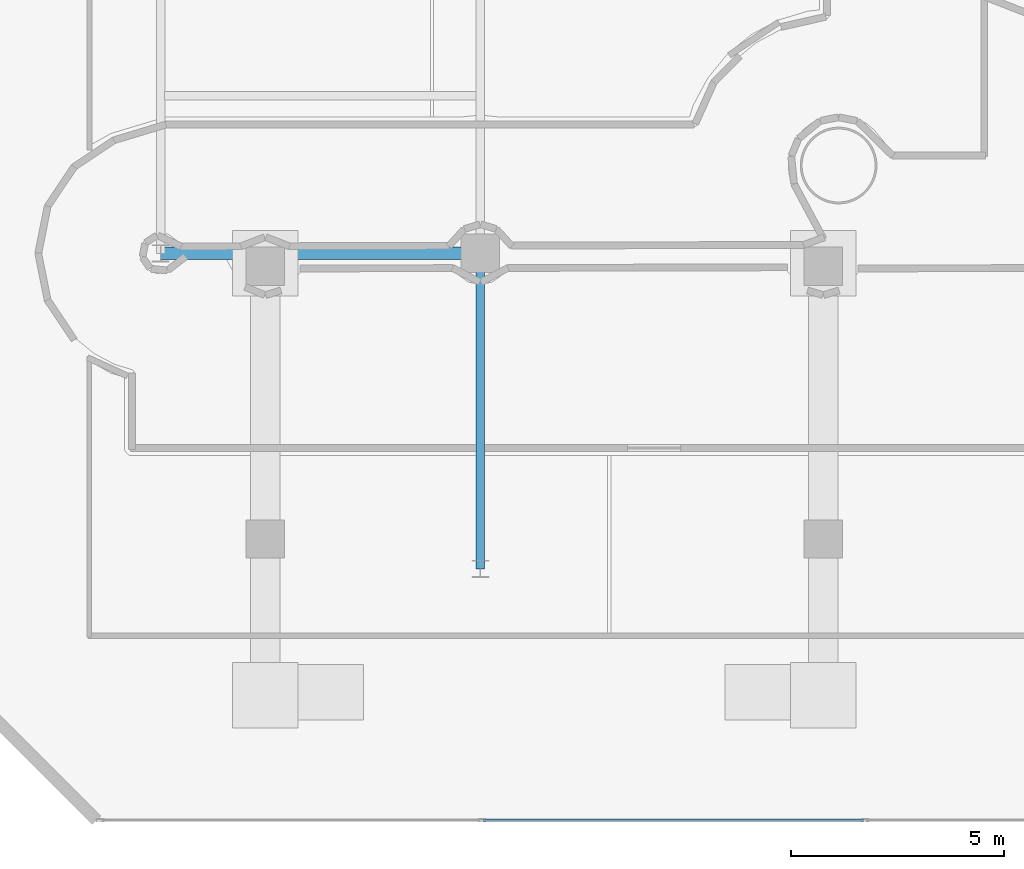
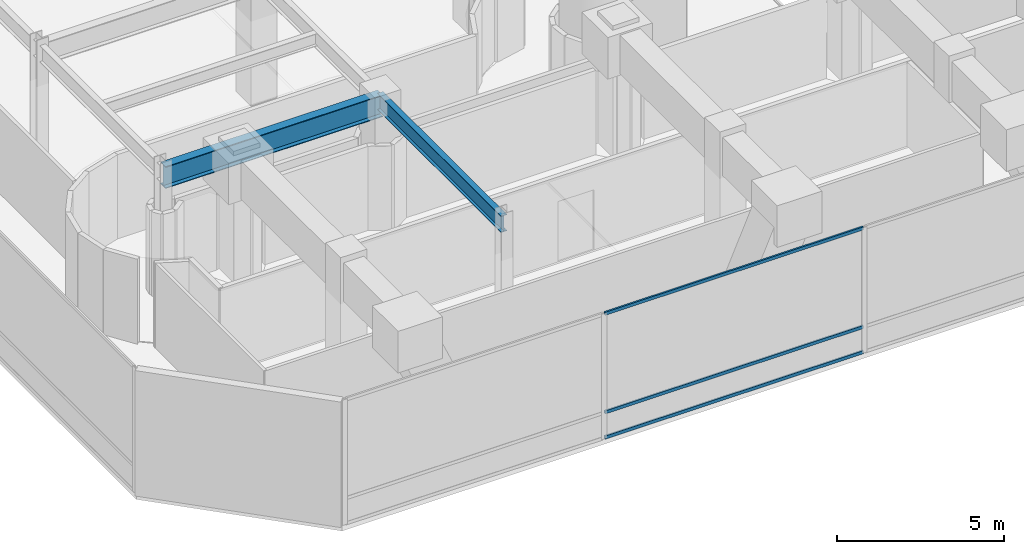
# One storey, part 7 of 45: 3 members, 2 beams, 1 element without a shape of its own.
"""IFC4 building model written with IfcOpenShell, lengths in metres."""

import ifcopenshell
import ifcopenshell.guid

model = None  # the IFC model being written
_history = None  # IfcOwnerHistory: only IFC2X3 demands one
_inside = {}  # id of a spatial element -> (the spatial element, [elements in it])
_under = {}  # id of a project, library or spatial element -> (it, [spatial elements below it])
_declared = {}  # id of a project -> (the project, [libraries it declares])
_typed = {}  # id of a type object -> (the type object, [elements of that type])
_made_of = {}  # id of a material, layer set ... -> (it, [elements and type objects made of it])


def new_model(schema):
    """Start an empty IFC model of exactly this schema.

    Asked for "IFC4X3", IfcOpenShell would pick the latest addendum, in which some entities
    have other attributes; the version numbers below select the first issue.
    IFC2X3 requires an IfcOwnerHistory on every rooted entity: one is made here for all.
    """
    global model, _history
    if schema == "IFC4X3":
        model = ifcopenshell.file(schema_version=(4, 3, 0, 0))
    else:
        model = ifcopenshell.file(schema=schema)
    _inside.clear()
    _under.clear()
    _declared.clear()
    _typed.clear()
    _made_of.clear()
    _history = None
    if model.schema == "IFC2X3":
        org = make("IfcOrganization", Name="unknown")
        user = make(
            "IfcPersonAndOrganization",
            ThePerson=make("IfcPerson", FamilyName="unknown"),
            TheOrganization=org,
        )
        app = make(
            "IfcApplication",
            ApplicationDeveloper=org,
            Version="unknown",
            ApplicationFullName="unknown",
            ApplicationIdentifier="unknown",
        )
        _history = make(
            "IfcOwnerHistory",
            OwningUser=user,
            OwningApplication=app,
            ChangeAction="ADDED",
            CreationDate=0,
        )
    return model


def make(cls, **values):
    """One entity of the class cls with the attributes given. An attribute that is None is left unset."""
    return model.create_entity(
        cls, **{name: value for name, value in values.items() if value is not None}
    )


def rooted(cls, **values):
    """An entity with a GlobalId (a new one), such as an element, a storey or a relation."""
    return make(cls, GlobalId=ifcopenshell.guid.new(), OwnerHistory=_history, **values)


def si_unit(unit_type, name, prefix=None):
    """IfcSIUnit, for example si_unit("LENGTHUNIT", "METRE", prefix="MILLI")."""
    return make("IfcSIUnit", UnitType=unit_type, Prefix=prefix, Name=name)


def assignment(units):
    """IfcUnitAssignment: the units of a project."""
    return None if units is None else make("IfcUnitAssignment", Units=units)


def point(xyz):
    """IfcCartesianPoint."""
    return None if xyz is None else make("IfcCartesianPoint", Coordinates=xyz)


def direction(xyz):
    """IfcDirection."""
    return None if xyz is None else make("IfcDirection", DirectionRatios=xyz)


def frame(location, z_axis=None, x_axis=None):
    """IfcAxis2Placement3D, a coordinate frame: its origin and axes. An axis left out is left unset."""
    return make(
        "IfcAxis2Placement3D",
        Location=point(location),
        Axis=direction(z_axis),
        RefDirection=direction(x_axis),
    )


def frame_2d(location, x_axis=None):
    """IfcAxis2Placement2D, a coordinate frame in the plane: its origin and x axis."""
    return make(
        "IfcAxis2Placement2D", Location=point(location), RefDirection=direction(x_axis)
    )


def origin():
    """The frame at (0, 0, 0) with its axes left unset."""
    return frame((0.0, 0.0, 0.0))


def origin_2d():
    """The frame at (0, 0) in the plane with its x axis left unset."""
    return frame_2d((0.0, 0.0))


def place(relative_to, where):
    """IfcLocalPlacement: puts the frame where relative to a parent placement (None: the world)."""
    return make(
        "IfcLocalPlacement", PlacementRelTo=relative_to, RelativePlacement=where
    )


def context(
    kind, dimensions, precision=None, world=None, true_north=None, identifier=None
):
    """IfcGeometricRepresentationContext, for example the 3D "Model" context."""
    return make(
        "IfcGeometricRepresentationContext",
        ContextIdentifier=identifier,
        ContextType=kind,
        CoordinateSpaceDimension=dimensions,
        Precision=precision,
        WorldCoordinateSystem=world,
        TrueNorth=true_north,
    )


def subcontext(parent, identifier, kind, view, scale=None):
    """IfcGeometricRepresentationSubContext, for example "Body" below "Model"."""
    return make(
        "IfcGeometricRepresentationSubContext",
        ContextIdentifier=identifier,
        ContextType=kind,
        ParentContext=parent,
        TargetScale=scale,
        TargetView=view,
    )


def project(units=None, contexts=None):
    """IfcProject with its units and contexts."""
    return rooted(
        "IfcProject",
        Name="project",
        RepresentationContexts=contexts,
        UnitsInContext=assignment(units),
    )


def spatial(cls, under=None, at=None, **own):
    """A site, building, storey or space (cls), placed at a placement, below another one or the project."""
    s = rooted(cls, ObjectPlacement=at, **own)
    if under is not None:
        _under.setdefault(under.id(), (under, []))[1].append(s)
    return s


def profile(cls, at=None, kind="AREA", **sizes):
    """A parametric profile (cls). Its sizes go by their IFC names, for example OverallWidth=200.0."""
    return make(cls, ProfileType=kind, Position=at, **sizes)


def hollow_rectangle(**sizes):
    """IfcRectangleHollowProfileDef."""
    return profile("IfcRectangleHollowProfileDef", **sizes)


def i_section(**sizes):
    """IfcIShapeProfileDef."""
    return profile("IfcIShapeProfileDef", **sizes)


def extrude(swept, where, along, depth):
    """IfcExtrudedAreaSolid: the profile swept, set in the frame where, extruded along a direction by depth."""
    return make(
        "IfcExtrudedAreaSolid",
        SweptArea=swept,
        Position=where,
        ExtrudedDirection=direction(along),
        Depth=depth,
    )


def shape(context_of_items, identifier, shape_type, items):
    """IfcShapeRepresentation: the items that make up one representation, for example the "Body"."""
    return make(
        "IfcShapeRepresentation",
        ContextOfItems=context_of_items,
        RepresentationIdentifier=identifier,
        RepresentationType=shape_type,
        Items=items,
    )


def material(Name=None, Category=None):
    """IfcMaterial."""
    return make("IfcMaterial", Name=Name, Category=Category)


def layer(
    of_material, thickness, ventilated=None, Name=None, Category=None, Priority=None
):
    """IfcMaterialLayer: one layer of a wall or slab, of a material (None: an air gap)."""
    return make(
        "IfcMaterialLayer",
        Material=of_material,
        LayerThickness=thickness,
        IsVentilated=ventilated,
        Name=Name,
        Category=Category,
        Priority=Priority,
    )


def layer_set(layers, Name=None):
    """IfcMaterialLayerSet."""
    return make("IfcMaterialLayerSet", MaterialLayers=layers, LayerSetName=Name)


def material_profile(
    of_material, cross_section, Name=None, Category=None, Priority=None
):
    """IfcMaterialProfile: a cross section and its material."""
    return make(
        "IfcMaterialProfile",
        Name=Name,
        Material=of_material,
        Profile=cross_section,
        Priority=Priority,
        Category=Category,
    )


def profile_set(profiles, Name=None, composite=None):
    """IfcMaterialProfileSet."""
    return make(
        "IfcMaterialProfileSet",
        Name=Name,
        MaterialProfiles=profiles,
        CompositeProfile=composite,
    )


def made_of(thing, what):
    """Note that an element or type object is made of a material, layer set ...; save() writes the relation."""
    if what is not None:
        _made_of.setdefault(what.id(), (what, []))[1].append(thing)
    return thing


def type_object(cls, material=None, **own):
    """A type object (cls), such as IfcWallType, which elements share."""
    return made_of(rooted(cls, **own), material)


def element(
    cls,
    number,
    at=None,
    inside=None,
    cuts=None,
    type_object=None,
    material=None,
    context=None,
    identifier="Body",
    shape_type=None,
    held_by="IfcProductDefinitionShape",
    body=None,
    shapes=None,
    **own,
):
    """One element of the class cls, such as IfcWall. Its Tag is "e" and its number.

    at: its placement. inside: the storey or other place that contains it. cuts: it is an
    opening in that element (IfcRelVoidsElement). A single representation is given by context,
    identifier, shape_type and body (its items); several are given by shapes. held_by: the class
    of the entity that holds the representations. save() writes the other relations.
    """
    e = rooted(cls, Tag="e%d" % number, ObjectPlacement=at, **own)
    if body is not None:
        shapes = [shape(context, identifier, shape_type, body)]
    if shapes is not None:
        e.Representation = make(held_by, Representations=shapes)
    if inside is not None:
        _inside.setdefault(inside.id(), (inside, []))[1].append(e)
    if cuts is not None:
        rooted(
            "IfcRelVoidsElement", RelatingBuildingElement=cuts, RelatedOpeningElement=e
        )
    if type_object is not None:
        _typed.setdefault(type_object.id(), (type_object, []))[1].append(e)
    return made_of(e, material)


def aggregate(whole, parts):
    """IfcRelAggregates: a whole, such as a stair, and the parts it consists of."""
    return rooted("IfcRelAggregates", RelatingObject=whole, RelatedObjects=parts)


def save(model, path):
    """Write the relations noted so far, then the file.

    IfcRelAggregates (storeys below a building ...), IfcRelContainedInSpatialStructure (elements
    in a storey), IfcRelDefinesByType, IfcRelAssociatesMaterial and IfcRelDeclares: one each for
    every whole, place, type object, material and project.
    """
    for whole, parts in _under.values():
        aggregate(whole, parts)
    for where, things in _inside.values():
        rooted(
            "IfcRelContainedInSpatialStructure",
            RelatedElements=things,
            RelatingStructure=where,
        )
    for kind, things in _typed.values():
        rooted("IfcRelDefinesByType", RelatedObjects=things, RelatingType=kind)
    for what, things in _made_of.values():
        rooted("IfcRelAssociatesMaterial", RelatedObjects=things, RelatingMaterial=what)
    for by, libraries in _declared.values():
        rooted("IfcRelDeclares", RelatingContext=by, RelatedDefinitions=libraries)
    model.write(path)


model = new_model("IFC4")

# Units and contexts
model_context = context("Model", 3, precision=1e-05, world=origin(), true_north=direction((0.0, 1.0)))
body_context = subcontext(model_context, "Body", "Model", "MODEL_VIEW")
ifc_project = project(units=[si_unit("LENGTHUNIT", "METRE"), si_unit("AREAUNIT", "SQUARE_METRE"), si_unit("VOLUMEUNIT", "CUBIC_METRE"), si_unit("PLANEANGLEUNIT", "RADIAN"), si_unit("MASSUNIT", "GRAM", prefix="KILO")], contexts=[model_context])

# Site, building, storey
site_placement = place(None, origin())
site = spatial("IfcSite", under=ifc_project, at=site_placement, CompositionType="ELEMENT")
building_placement = place(site_placement, origin())
building = spatial("IfcBuilding", under=site, at=building_placement, Name="Qianvela Tower", CompositionType="ELEMENT")
storey_placement = place(building_placement, frame((0.0, 0.0, 11.0)))
storey = spatial("IfcBuildingStorey", under=building, at=storey_placement, Name="L02", CompositionType="ELEMENT", Elevation=11.0)

# Beams
ifc_material_1 = material(Name="Steel Q355B", Category="steel")
ifc_material_profile_1 = material_profile(ifc_material_1, i_section(OverallWidth=0.199951171875, OverallDepth=0.60009765625, WebThickness=0.010986328125, FlangeThickness=0.01708984375, at=origin_2d()), Name="HN600x200x11x17")
ifc_profile_set_1 = profile_set([ifc_material_profile_1], Name="Steel Q355B")
beam_type_1 = type_object("IfcBeamType", Name="BM-HN600-GIRD", PredefinedType="BEAM", material=ifc_profile_set_1)
beam_1_placement = place(storey_placement, frame((15.0, 7.39990234375, 4.278076171875), z_axis=(0.0, 1.0, 0.0), x_axis=(-1.0, 0.0, 0.0)))
element("IfcBeam", 1, at=beam_1_placement, inside=storey, type_object=beam_type_1, Name="L02 North-South Grid Girder 19", PredefinedType="BEAM", context=body_context, shape_type="SweptSolid", body=[
    extrude(i_section(OverallWidth=0.199951171875, OverallDepth=0.60009765625, WebThickness=0.010986328125, FlangeThickness=0.01708984375, at=origin_2d()), origin(), (0.0, 0.0, 1.0), 7.400146484375),
])
ifc_material_2 = material(Name="Steel Q355B", Category="steel")
ifc_material_profile_2 = material_profile(ifc_material_2, i_section(OverallWidth=0.300048828125, OverallDepth=0.800048828125, WebThickness=0.013916015625, FlangeThickness=0.02587890625, at=origin_2d()), Name="HN800x300x14x26")
ifc_profile_set_2 = profile_set([ifc_material_profile_2], Name="Steel Q355B")
beam_type_2 = type_object("IfcBeamType", Name="BM-HN800-SPAND", PredefinedType="SPANDREL", material=ifc_profile_set_2)
beam_2_placement = place(storey_placement, frame((7.5, 14.800048828125, 4.177978515625), z_axis=(1.0, 0.0, 0.0), x_axis=(0.0, 1.0, 0.0)))
element("IfcBeam", 2, at=beam_2_placement, inside=storey, type_object=beam_type_2, Name="L02 East-West Grid Girder 1", PredefinedType="SPANDREL", context=body_context, shape_type="SweptSolid", body=[
    extrude(i_section(OverallWidth=0.300048828125, OverallDepth=0.800048828125, WebThickness=0.013916015625, FlangeThickness=0.02587890625, at=origin_2d()), origin(), (0.0, 0.0, 1.0), 7.5),
])

# Curtain wall, members
ifc_material_3 = material(Name="Anodised Architectural Aluminium and Low-E Glass", Category="aluminium")
ifc_layer = layer(ifc_material_3, 0.179931640625)
ifc_layer_set = layer_set([ifc_layer], Name="Anodised Architectural Aluminium and Low-E Glass")
curtain_wall_type = type_object("IfcCurtainWallType", Name="CW-COMMONS", PredefinedType="USERDEFINED", material=ifc_layer_set)
curtain_wall_placement = place(storey_placement, origin())
curtain_wall = element("IfcCurtainWall", 3, at=curtain_wall_placement, inside=storey, type_object=curtain_wall_type, Name="L02 CW-COMMONS Curtain Wall 01", ObjectType="CURTAIN_WALL_SYSTEM", PredefinedType="USERDEFINED")
ifc_material_4 = material(Name="Anodised Architectural Aluminium 6063-T6", Category="aluminium")
ifc_material_profile_3 = material_profile(ifc_material_4, hollow_rectangle(XDim=0.06005859375, YDim=0.114990234375, WallThickness=0.00390625, at=origin_2d()), Name="ALU-TRAN-60x115")
ifc_profile_set_3 = profile_set([ifc_material_profile_3], Name="Anodised Architectural Aluminium 6063-T6")
member_type = type_object("IfcMemberType", Name="CW-COMMONS-TRAN", PredefinedType="USERDEFINED", material=ifc_profile_set_3)
member_1_placement = place(storey_placement, frame((15.07080078125, 1.5, 0.030029296875), z_axis=(1.0, 0.0, 0.0), x_axis=(0.0, 1.0, 0.0)))
member_1 = element("IfcMember", 4, at=member_1_placement, type_object=member_type, Name="CW-2 transom 2.1", ObjectType="TRANSOM", PredefinedType="USERDEFINED", context=body_context, shape_type="SweptSolid", body=[
    extrude(hollow_rectangle(XDim=0.06005859375, YDim=0.114990234375, WallThickness=0.00390625, at=origin_2d()), origin(), (0.0, 0.0, 1.0), 8.91552734375),
])
member_2_placement = place(storey_placement, frame((15.07080078125, 1.5, 0.949951171875), z_axis=(1.0, 0.0, 0.0), x_axis=(0.0, 1.0, 0.0)))
member_2 = element("IfcMember", 5, at=member_2_placement, type_object=member_type, Name="CW-2 transom 2.2", ObjectType="TRANSOM", PredefinedType="USERDEFINED", context=body_context, shape_type="SweptSolid", body=[
    extrude(hollow_rectangle(XDim=0.06005859375, YDim=0.114990234375, WallThickness=0.00390625, at=origin_2d()), origin(), (0.0, 0.0, 1.0), 8.91552734375),
])
member_3_placement = place(storey_placement, frame((15.07080078125, 1.5, 4.550048828125), z_axis=(1.0, 0.0, 0.0), x_axis=(0.0, 1.0, 0.0)))
member_3 = element("IfcMember", 6, at=member_3_placement, type_object=member_type, Name="CW-2 transom 2.3", ObjectType="TRANSOM", PredefinedType="USERDEFINED", context=body_context, shape_type="SweptSolid", body=[
    extrude(hollow_rectangle(XDim=0.06005859375, YDim=0.114990234375, WallThickness=0.00390625, at=origin_2d()), origin(), (0.0, 0.0, 1.0), 8.91552734375),
])
aggregate(curtain_wall, [member_1, member_2, member_3])

save(model, "model.ifc")
